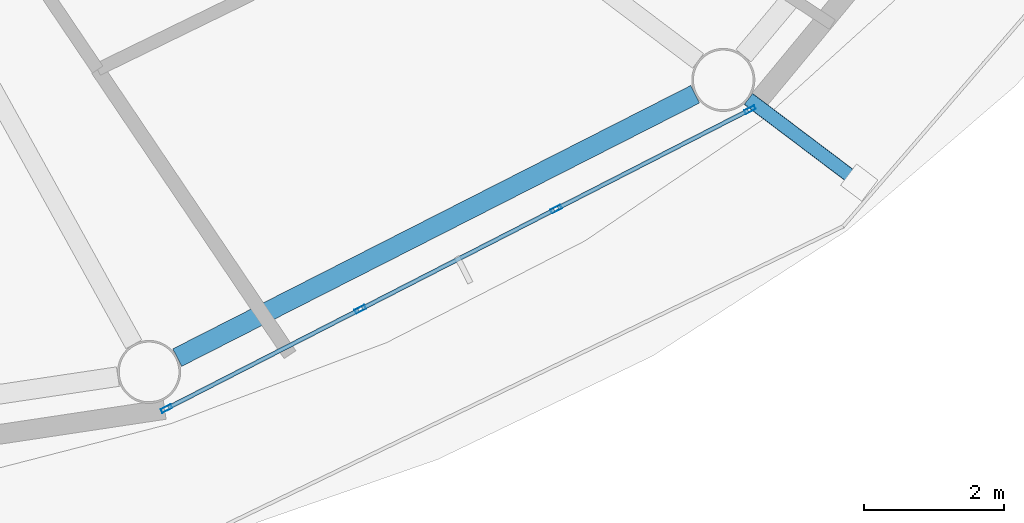
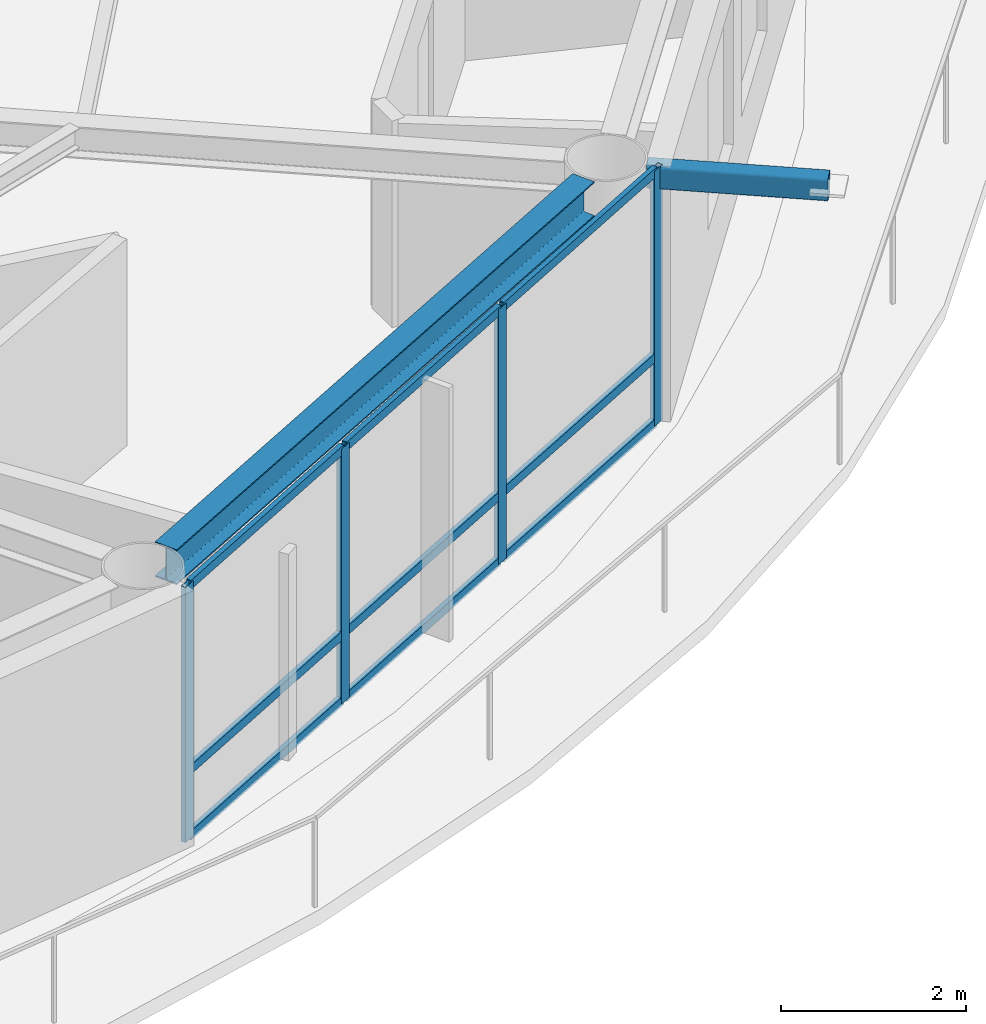
# One storey, part 5 of 22: 14 members, 1 beam, 1 element without a shape of its own.
"""IFC4 building model written with IfcOpenShell, lengths in metres."""

from ifc_helpers import new_model, si_unit, direction, frame, origin, origin_2d, place, context, subcontext, project, spatial, hollow_rectangle, i_section, extrude, material, layer, layer_set, material_profile, profile_set, type_object, element, aggregate, save


model = new_model("IFC4")

# Units and contexts
model_context = context("Model", 3, precision=1e-05, world=origin(), true_north=direction((0.0, 1.0)))
body_context = subcontext(model_context, "Body", "Model", "MODEL_VIEW")
ifc_project = project(units=[si_unit("LENGTHUNIT", "METRE"), si_unit("AREAUNIT", "SQUARE_METRE"), si_unit("VOLUMEUNIT", "CUBIC_METRE"), si_unit("PLANEANGLEUNIT", "RADIAN"), si_unit("MASSUNIT", "GRAM", prefix="KILO")], contexts=[model_context])

# Site, building, storey
site_placement = place(None, origin())
site = spatial("IfcSite", under=ifc_project, at=site_placement, CompositionType="ELEMENT")
building_placement = place(site_placement, origin())
building = spatial("IfcBuilding", under=site, at=building_placement, Name="Sarneth Arch Tower", CompositionType="ELEMENT")
storey_placement = place(building_placement, frame((0.0, 0.0, 291.0)))
storey = spatial("IfcBuildingStorey", under=building, at=storey_placement, Name="L75", CompositionType="ELEMENT", Elevation=291.0)

# Beam
ifc_material_1 = material(Name="Steel S355", Category="steel")
ifc_material_profile_1 = material_profile(ifc_material_1, i_section(OverallWidth=0.280029296875, OverallDepth=0.462890625, WebThickness=0.0107421875, FlangeThickness=0.017333984375, FilletRadius=0.01806640625, at=origin_2d()), Name="W460x113")
ifc_profile_set_1 = profile_set([ifc_material_profile_1], Name="Steel S355")
beam_type = type_object("IfcBeamType", Name="BM-RAD-460A", PredefinedType="BEAM", material=ifc_profile_set_1)
beam_placement = place(storey_placement, frame((58.19189453125, 24.465576171875, 3.138427734375), z_axis=(0.891376248079, 0.453264144138, 0.0), x_axis=(-0.453264144138, 0.891376248079, 0.0)))
element("IfcBeam", 1, at=beam_placement, inside=storey, type_object=beam_type, Name="L75 Perimeter spandrel beam 14", PredefinedType="BEAM", context=body_context, shape_type="SweptSolid", body=[
    extrude(i_section(OverallWidth=0.280029296875, OverallDepth=0.462890625, WebThickness=0.0107421875, FlangeThickness=0.017333984375, FilletRadius=0.01806640625, at=origin_2d()), origin(), (0.0, 0.0, 1.0), 8.281982421875),
])

# Curtain wall, members
ifc_material_2 = material(Name="Anodised aluminium Type AA25 and solar-control low-e laminated IGU", Category="aluminium")
ifc_layer = layer(ifc_material_2, 0.179931640625)
ifc_layer_set = layer_set([ifc_layer], Name="Anodised aluminium Type AA25 and solar-control low-e laminated IGU")
curtain_wall_type = type_object("IfcCurtainWallType", Name="CW-RES-HIGH", PredefinedType="NOTDEFINED", material=ifc_layer_set)
curtain_wall_placement = place(storey_placement, origin())
curtain_wall = element("IfcCurtainWall", 2, at=curtain_wall_placement, inside=storey, type_object=curtain_wall_type, Name="L75 Unitised curtain wall facet 14", PredefinedType="NOTDEFINED")
ifc_material_3 = material(Name="Anodised Aluminium 6063-T6", Category="aluminium")
ifc_material_profile_2 = material_profile(ifc_material_3, hollow_rectangle(XDim=0.06005859375, YDim=0.159912109375, WallThickness=0.00390625, at=origin_2d()), Name="AL-MULL-160x60x4")
ifc_profile_set_2 = profile_set([ifc_material_profile_2], Name="Anodised Aluminium 6063-T6")
member_type_1 = type_object("IfcMemberType", Name="CW-MULLION", PredefinedType="MULLION", material=ifc_profile_set_2)
member_1_placement = place(storey_placement, frame((58.039306640625, 23.7392578125, 0.0), z_axis=(0.0, 0.0, 1.0), x_axis=(-0.455941901753, 0.890009540525, 0.0)))
member_1 = element("IfcMember", 3, at=member_1_placement, type_object=member_type_1, Name="CW-SYS-6 mullion 1", PredefinedType="MULLION", context=body_context, shape_type="SweptSolid", body=[
    extrude(hollow_rectangle(XDim=0.06005859375, YDim=0.159912109375, WallThickness=0.00390625, at=origin_2d()), origin(), (0.0, 0.0, 1.0), 3.3701171875),
])
member_2_placement = place(storey_placement, frame((60.802490234375, 25.155029296875, 0.0), z_axis=(0.0, 0.0, 1.0), x_axis=(-0.455941901753, 0.890009540525, 0.0)))
member_2 = element("IfcMember", 4, at=member_2_placement, type_object=member_type_1, Name="CW-SYS-6 mullion 2", PredefinedType="MULLION", context=body_context, shape_type="SweptSolid", body=[
    extrude(hollow_rectangle(XDim=0.06005859375, YDim=0.159912109375, WallThickness=0.00390625, at=origin_2d()), origin(), (0.0, 0.0, 1.0), 3.3701171875),
])
member_3_placement = place(storey_placement, frame((63.592529296875, 26.584228515625, 0.0), z_axis=(0.0, 0.0, 1.0), x_axis=(-0.455941901753, 0.890009540525, 0.0)))
member_3 = element("IfcMember", 5, at=member_3_placement, type_object=member_type_1, Name="CW-SYS-6 mullion 3", PredefinedType="MULLION", context=body_context, shape_type="SweptSolid", body=[
    extrude(hollow_rectangle(XDim=0.06005859375, YDim=0.159912109375, WallThickness=0.00390625, at=origin_2d()), origin(), (0.0, 0.0, 1.0), 3.3701171875),
])
member_4_placement = place(storey_placement, frame((66.355712890625, 27.999755859375, 0.0), z_axis=(0.0, 0.0, 1.0), x_axis=(-0.455941901753, 0.890009540525, 0.0)))
member_4 = element("IfcMember", 6, at=member_4_placement, type_object=member_type_1, Name="CW-SYS-6 mullion 4", PredefinedType="MULLION", context=body_context, shape_type="SweptSolid", body=[
    extrude(hollow_rectangle(XDim=0.06005859375, YDim=0.159912109375, WallThickness=0.00390625, at=origin_2d()), origin(), (0.0, 0.0, 1.0), 3.3701171875),
])
ifc_material_4 = material(Name="Anodised Aluminium 6063-T6", Category="aluminium")
ifc_material_profile_3 = material_profile(ifc_material_4, hollow_rectangle(XDim=0.06005859375, YDim=0.1201171875, WallThickness=0.00390625, at=origin_2d()), Name="AL-TRAN-120x60x4")
ifc_profile_set_3 = profile_set([ifc_material_profile_3], Name="Anodised Aluminium 6063-T6")
member_type_2 = type_object("IfcMemberType", Name="CW-TRANSOM", PredefinedType="USERDEFINED", material=ifc_profile_set_3)
member_5_placement = place(storey_placement, frame((58.066162109375, 23.7529296875, 0.030029296875), z_axis=(0.889973523166, 0.456012201662, 0.0), x_axis=(-0.456012201662, 0.889973523166, 0.0)))
member_5 = element("IfcMember", 7, at=member_5_placement, type_object=member_type_2, Name="CW-SYS-6 transom 1.1", ObjectType="TRANSOM", PredefinedType="USERDEFINED", context=body_context, shape_type="SweptSolid", body=[
    extrude(hollow_rectangle(XDim=0.06005859375, YDim=0.1201171875, WallThickness=0.00390625, at=origin_2d()), origin(), (0.0, 0.0, 1.0), 3.044677734375),
])
member_6_placement = place(storey_placement, frame((58.066162109375, 23.7529296875, 0.89990234375), z_axis=(0.889973523166, 0.456012201662, 0.0), x_axis=(-0.456012201662, 0.889973523166, 0.0)))
member_6 = element("IfcMember", 8, at=member_6_placement, type_object=member_type_2, Name="CW-SYS-6 transom 1.2", ObjectType="TRANSOM", PredefinedType="USERDEFINED", context=body_context, shape_type="SweptSolid", body=[
    extrude(hollow_rectangle(XDim=0.06005859375, YDim=0.1201171875, WallThickness=0.00390625, at=origin_2d()), origin(), (0.0, 0.0, 1.0), 3.044677734375),
])
member_7_placement = place(storey_placement, frame((58.066162109375, 23.7529296875, 3.340087890625), z_axis=(0.889973523166, 0.456012201662, 0.0), x_axis=(-0.456012201662, 0.889973523166, 0.0)))
member_7 = element("IfcMember", 9, at=member_7_placement, type_object=member_type_2, Name="CW-SYS-6 transom 1.3", ObjectType="TRANSOM", PredefinedType="USERDEFINED", context=body_context, shape_type="SweptSolid", body=[
    extrude(hollow_rectangle(XDim=0.06005859375, YDim=0.1201171875, WallThickness=0.00390625, at=origin_2d()), origin(), (0.0, 0.0, 1.0), 3.044677734375),
])
member_8_placement = place(storey_placement, frame((60.829345703125, 25.168701171875, 0.030029296875), z_axis=(0.890017432405, 0.455926496286, 0.0), x_axis=(-0.455926496286, 0.890017432405, 0.0)))
member_8 = element("IfcMember", 10, at=member_8_placement, type_object=member_type_2, Name="CW-SYS-6 transom 2.1", ObjectType="TRANSOM", PredefinedType="USERDEFINED", context=body_context, shape_type="SweptSolid", body=[
    extrude(hollow_rectangle(XDim=0.06005859375, YDim=0.1201171875, WallThickness=0.00390625, at=origin_2d()), origin(), (0.0, 0.0, 1.0), 3.07470703125),
])
member_9_placement = place(storey_placement, frame((60.829345703125, 25.168701171875, 0.89990234375), z_axis=(0.890017432405, 0.455926496286, 0.0), x_axis=(-0.455926496286, 0.890017432405, 0.0)))
member_9 = element("IfcMember", 11, at=member_9_placement, type_object=member_type_2, Name="CW-SYS-6 transom 2.2", ObjectType="TRANSOM", PredefinedType="USERDEFINED", context=body_context, shape_type="SweptSolid", body=[
    extrude(hollow_rectangle(XDim=0.06005859375, YDim=0.1201171875, WallThickness=0.00390625, at=origin_2d()), origin(), (0.0, 0.0, 1.0), 3.07470703125),
])
member_10_placement = place(storey_placement, frame((60.829345703125, 25.168701171875, 3.340087890625), z_axis=(0.890017432405, 0.455926496286, 0.0), x_axis=(-0.455926496286, 0.890017432405, 0.0)))
member_10 = element("IfcMember", 12, at=member_10_placement, type_object=member_type_2, Name="CW-SYS-6 transom 2.3", ObjectType="TRANSOM", PredefinedType="USERDEFINED", context=body_context, shape_type="SweptSolid", body=[
    extrude(hollow_rectangle(XDim=0.06005859375, YDim=0.1201171875, WallThickness=0.00390625, at=origin_2d()), origin(), (0.0, 0.0, 1.0), 3.07470703125),
])
member_11_placement = place(storey_placement, frame((63.619140625, 26.597900390625, 0.030029296875), z_axis=(0.890022732705, 0.455916149384, 0.0), x_axis=(-0.455916149384, 0.890022732705, 0.0)))
member_11 = element("IfcMember", 13, at=member_11_placement, type_object=member_type_2, Name="CW-SYS-6 transom 3.1", ObjectType="TRANSOM", PredefinedType="USERDEFINED", context=body_context, shape_type="SweptSolid", body=[
    extrude(hollow_rectangle(XDim=0.06005859375, YDim=0.1201171875, WallThickness=0.00390625, at=origin_2d()), origin(), (0.0, 0.0, 1.0), 3.044921875),
])
member_12_placement = place(storey_placement, frame((63.619140625, 26.597900390625, 0.89990234375), z_axis=(0.890022732705, 0.455916149384, 0.0), x_axis=(-0.455916149384, 0.890022732705, 0.0)))
member_12 = element("IfcMember", 14, at=member_12_placement, type_object=member_type_2, Name="CW-SYS-6 transom 3.2", ObjectType="TRANSOM", PredefinedType="USERDEFINED", context=body_context, shape_type="SweptSolid", body=[
    extrude(hollow_rectangle(XDim=0.06005859375, YDim=0.1201171875, WallThickness=0.00390625, at=origin_2d()), origin(), (0.0, 0.0, 1.0), 3.044921875),
])
member_13_placement = place(storey_placement, frame((63.619140625, 26.597900390625, 3.340087890625), z_axis=(0.890022732705, 0.455916149384, 0.0), x_axis=(-0.455916149384, 0.890022732705, 0.0)))
member_13 = element("IfcMember", 15, at=member_13_placement, type_object=member_type_2, Name="CW-SYS-6 transom 3.3", ObjectType="TRANSOM", PredefinedType="USERDEFINED", context=body_context, shape_type="SweptSolid", body=[
    extrude(hollow_rectangle(XDim=0.06005859375, YDim=0.1201171875, WallThickness=0.00390625, at=origin_2d()), origin(), (0.0, 0.0, 1.0), 3.044921875),
])
aggregate(curtain_wall, [member_1, member_2, member_3, member_4, member_5, member_6, member_7, member_8, member_9, member_10, member_11, member_12, member_13])

# Member
ifc_material_5 = material(Name="Steel S355", Category="steel")
ifc_material_profile_4 = material_profile(ifc_material_5, hollow_rectangle(XDim=0.199951171875, YDim=0.300048828125, WallThickness=0.012451171875, InnerFilletRadius=0.018798828125, OuterFilletRadius=0.03125, at=origin_2d()), Name="RHS300x200x12.5")
ifc_profile_set_4 = profile_set([ifc_material_profile_4], Name="Steel S355")
member_type_3 = type_object("IfcMemberType", Name="MEM-CANT-STRUT", PredefinedType="STRUT", material=ifc_profile_set_4)
member_14_placement = place(storey_placement, frame((66.334228515625, 28.15234375, 3.2099609375), z_axis=(0.797966257869, -0.602702124853, 0.0), x_axis=(0.602702124853, 0.797966257869, 0.0)))
element("IfcMember", 16, at=member_14_placement, inside=storey, type_object=member_type_3, Name="L75 Balcony cantilever bracket 15", PredefinedType="STRUT", context=body_context, shape_type="SweptSolid", body=[
    extrude(hollow_rectangle(XDim=0.199951171875, YDim=0.300048828125, WallThickness=0.012451171875, InnerFilletRadius=0.018798828125, OuterFilletRadius=0.03125, at=origin_2d()), origin(), (0.0, 0.0, 1.0), 1.97802734375),
])

save(model, "model.ifc")
